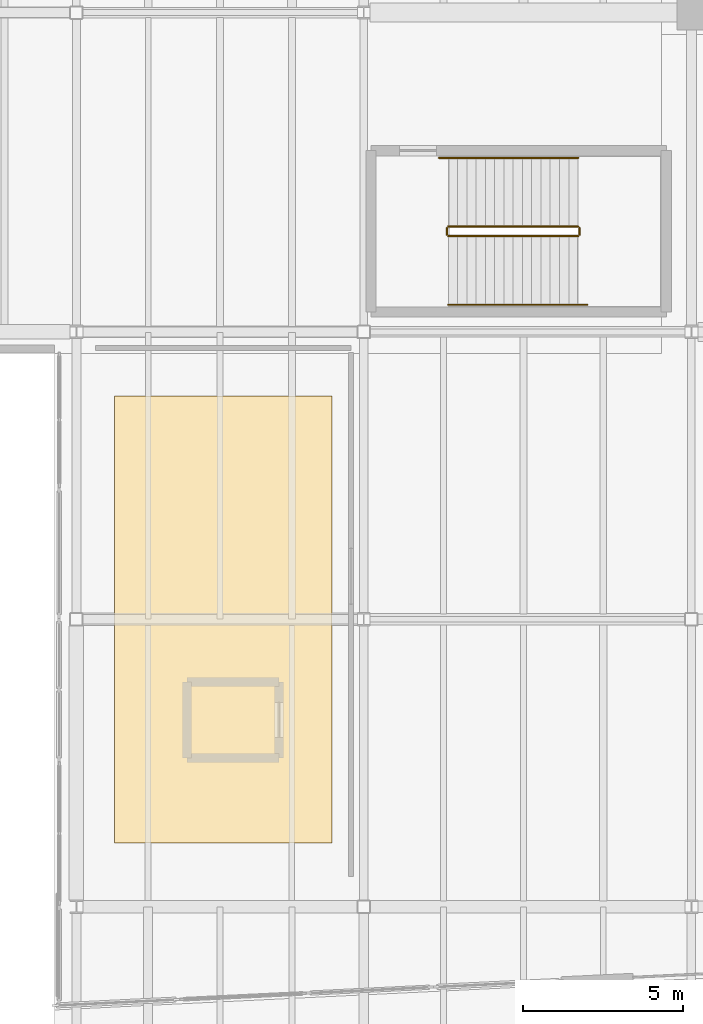
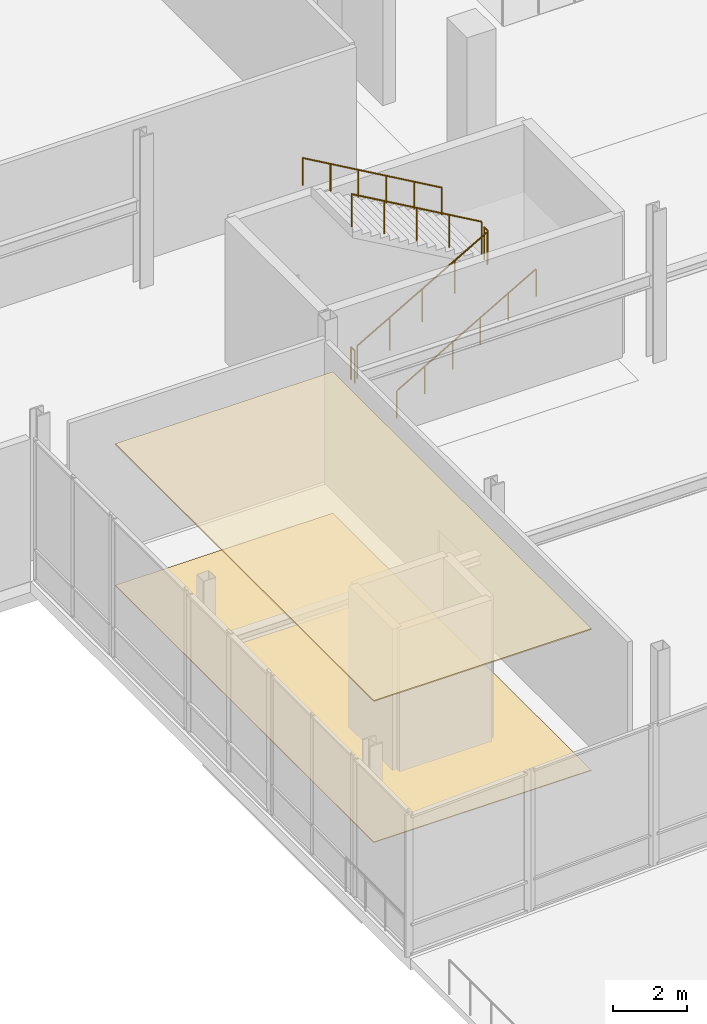
# One storey, part 79 of 88: 6 railings, 2 coverings.
"""IFC4 building model written with IfcOpenShell, lengths in metres."""

from ifc_helpers import new_model, si_unit, direction, frame, origin, origin_2d, place, context, subcontext, project, spatial, polyline, circle, outline, extrude, material, layer, layer_set, type_object, element, save


model = new_model("IFC4")

# Units and contexts
model_context = context("Model", 3, precision=1e-05, world=origin(), true_north=direction((0.0, 1.0)))
body_context = subcontext(model_context, "Body", "Model", "MODEL_VIEW")
ifc_project = project(units=[si_unit("LENGTHUNIT", "METRE"), si_unit("AREAUNIT", "SQUARE_METRE"), si_unit("VOLUMEUNIT", "CUBIC_METRE"), si_unit("PLANEANGLEUNIT", "RADIAN"), si_unit("MASSUNIT", "GRAM", prefix="KILO")], contexts=[model_context])

# Site, building, storey
site_placement = place(None, origin())
site = spatial("IfcSite", under=ifc_project, at=site_placement, CompositionType="ELEMENT")
building_placement = place(site_placement, origin())
building = spatial("IfcBuilding", under=site, at=building_placement, Name="Trimount Lyric Opera House", CompositionType="ELEMENT")
storey_placement = place(building_placement, origin())
storey = spatial("IfcBuildingStorey", under=building, at=storey_placement, Name="L00", CompositionType="ELEMENT", Elevation=0.0)

# Coverings
ifc_material_1 = material(Name="Micro-Perforated White Oak Acoustic Ceiling")
ifc_layer_1 = layer(ifc_material_1, 0.0400390625)
ifc_layer_set_1 = layer_set([ifc_layer_1], Name="CEIL-AC1")
covering_type_1 = type_object("IfcCoveringType", Name="CEIL-AC1", PredefinedType="CEILING", material=ifc_layer_set_1)
covering_1_placement = place(storey_placement, frame((0.0, 0.0, 4.659912109375)))
element("IfcCovering", 1, at=covering_1_placement, inside=storey, type_object=covering_type_1, Name="Box Office Concourse acoustic ceiling", PredefinedType="CEILING", context=body_context, shape_type="SweptSolid", body=[
    extrude(outline(polyline([(46.199951171875, 28.0), (53.0, 28.0), (53.0, 42.0), (46.199951171875, 42.0), (46.199951171875, 28.0)])), origin(), (0.0, 0.0, 1.0), 0.0400390625),
])
ifc_material_2 = material(Name="Honed Granite Terrazzo Concourse Flooring", Category="masonry")
ifc_layer_2 = layer(ifc_material_2, 0.02490234375)
ifc_layer_set_2 = layer_set([ifc_layer_2], Name="FLR-TRZ1")
covering_type_2 = type_object("IfcCoveringType", Name="FLR-TRZ1", PredefinedType="FLOORING", material=ifc_layer_set_2)
covering_2_placement = place(storey_placement, origin())
element("IfcCovering", 2, at=covering_2_placement, inside=storey, type_object=covering_type_2, Name="Box Office Concourse finish flooring", PredefinedType="FLOORING", context=body_context, shape_type="SweptSolid", body=[
    extrude(outline(polyline([(46.199951171875, 28.0), (53.0, 28.0), (53.0, 42.0), (46.199951171875, 42.0), (46.199951171875, 28.0)])), origin(), (0.0, 0.0, 1.0), 0.02490234375),
])

# Railings
ifc_material_3 = material(Name="Brushed Stainless Steel 316", Category="steel")
railing_type_1 = type_object("IfcRailingType", Name="RL-GRD110", PredefinedType="GUARDRAIL", material=ifc_material_3)
railing_1_placement = place(storey_placement, frame((56.64990234375, 47.0, 0.166748046875)))
element("IfcRailing", 3, at=railing_1_placement, inside=storey, type_object=railing_type_1, Name="L00 ST-07 stair guard 1", PredefinedType="GUARDRAIL", context=body_context, shape_type="SweptSolid", body=[
    extrude(circle(Radius=0.02392578125, at=origin_2d()), frame((0.0, 0.0, 1.076171875), z_axis=(0.867024558463, 0.0, 0.498265406207), x_axis=(0.0, 1.0, 0.0)), (0.0, 0.0, 1.0), 4.682861328125),
    extrude(circle(Radius=0.02099609375, at=origin_2d()), origin(), (0.0, 0.0, 1.0), 1.052001953125),
    extrude(circle(Radius=0.02099609375, at=origin_2d()), frame((1.01513671875, 0.0, 0.583251953125)), (0.0, 0.0, 1.0), 1.052001953125),
    extrude(circle(Radius=0.02099609375, at=origin_2d()), frame((2.030029296875, 0.0, 1.16650390625)), (0.0, 0.0, 1.0), 1.052001953125),
    extrude(circle(Radius=0.02099609375, at=origin_2d()), frame((3.044921875, 0.0, 1.75)), (0.0, 0.0, 1.0), 1.052001953125),
    extrude(circle(Radius=0.02099609375, at=origin_2d()), frame((4.06005859375, 0.0, 2.333251953125)), (0.0, 0.0, 1.0), 1.052001953125),
])
railing_2_placement = place(storey_placement, frame((60.760009765625, 47.050048828125, 2.5)))
element("IfcRailing", 4, at=railing_2_placement, inside=storey, type_object=railing_type_1, Name="L00 ST-07 stair guard 2", PredefinedType="GUARDRAIL", context=body_context, shape_type="SweptSolid", body=[
    extrude(circle(Radius=0.02392578125, at=origin_2d()), frame((0.0, 0.0, 1.076171875), z_axis=(0.0, 1.0, 0.0), x_axis=(-1.0, 0.0, 0.0)), (0.0, 0.0, 1.0), 0.199951171875),
    extrude(circle(Radius=0.02099609375, at=origin_2d()), origin(), (0.0, 0.0, 1.0), 1.052001953125),
    extrude(circle(Radius=0.02099609375, at=origin_2d()), frame((0.0, 0.199951171875, 0.0)), (0.0, 0.0, 1.0), 1.052001953125),
])
railing_3_placement = place(storey_placement, frame((60.7099609375, 47.300048828125, 2.666748046875)))
element("IfcRailing", 5, at=railing_3_placement, inside=storey, type_object=railing_type_1, Name="L00 ST-07 stair guard 3", PredefinedType="GUARDRAIL", context=body_context, shape_type="SweptSolid", body=[
    extrude(circle(Radius=0.02392578125, at=origin_2d()), frame((0.0, 0.0, 1.076171875), z_axis=(-0.867024558463, 0.0, 0.498265406207), x_axis=(0.0, -1.0, 0.0)), (0.0, 0.0, 1.0), 4.682861328125),
    extrude(circle(Radius=0.02099609375, at=origin_2d()), origin(), (0.0, 0.0, 1.0), 1.052001953125),
    extrude(circle(Radius=0.02099609375, at=origin_2d()), frame((-1.01513671875, 0.0, 0.583251953125)), (0.0, 0.0, 1.0), 1.052001953125),
    extrude(circle(Radius=0.02099609375, at=origin_2d()), frame((-2.030029296875, 0.0, 1.16650390625)), (0.0, 0.0, 1.0), 1.052001953125),
    extrude(circle(Radius=0.02099609375, at=origin_2d()), frame((-3.044921875, 0.0, 1.75)), (0.0, 0.0, 1.0), 1.052001953125),
    extrude(circle(Radius=0.02099609375, at=origin_2d()), frame((-4.06005859375, 0.0, 2.333251953125)), (0.0, 0.0, 1.0), 1.052001953125),
])
railing_4_placement = place(storey_placement, frame((56.60009765625, 47.050048828125, 0.0)))
element("IfcRailing", 6, at=railing_4_placement, inside=storey, type_object=railing_type_1, Name="L00 ST-07 stair guard 4", PredefinedType="GUARDRAIL", context=body_context, shape_type="SweptSolid", body=[
    extrude(circle(Radius=0.02392578125, at=origin_2d()), frame((0.0, 0.0, 1.076171875), z_axis=(0.0, 1.0, 0.0), x_axis=(-1.0, 0.0, 0.0)), (0.0, 0.0, 1.0), 0.199951171875),
    extrude(circle(Radius=0.02099609375, at=origin_2d()), origin(), (0.0, 0.0, 1.0), 1.052001953125),
    extrude(circle(Radius=0.02099609375, at=origin_2d()), frame((0.0, 0.199951171875, 0.0)), (0.0, 0.0, 1.0), 1.052001953125),
])
ifc_material_4 = material(Name="Brushed Stainless Steel 316", Category="steel")
railing_type_2 = type_object("IfcRailingType", Name="RL-HND092", PredefinedType="HANDRAIL", material=ifc_material_4)
railing_5_placement = place(storey_placement, frame((56.64990234375, 44.85009765625, 0.166748046875)))
element("IfcRailing", 7, at=railing_5_placement, inside=storey, type_object=railing_type_2, Name="L00 ST-07 stair handrail 1", PredefinedType="HANDRAIL", context=body_context, shape_type="SweptSolid", body=[
    extrude(circle(Radius=0.0224609375, at=origin_2d()), frame((0.0, 0.0, 0.8974609375), z_axis=(0.866766478692, 0.0, 0.498714218181), x_axis=(0.0, 1.0, 0.0)), (0.0, 0.0, 1.0), 5.018798828125),
    extrude(circle(Radius=0.02099609375, at=origin_2d()), origin(), (0.0, 0.0, 1.0), 0.875),
    extrude(circle(Radius=0.02099609375, at=origin_2d()), frame((0.8701171875, 0.0, 0.50048828125)), (0.0, 0.0, 1.0), 0.875),
    extrude(circle(Radius=0.02099609375, at=origin_2d()), frame((1.739990234375, 0.0, 1.001220703125)), (0.0, 0.0, 1.0), 0.875),
    extrude(circle(Radius=0.02099609375, at=origin_2d()), frame((2.610107421875, 0.0, 1.501708984375)), (0.0, 0.0, 1.0), 0.875),
    extrude(circle(Radius=0.02099609375, at=origin_2d()), frame((3.47998046875, 0.0, 2.00244140625)), (0.0, 0.0, 1.0), 0.875),
    extrude(circle(Radius=0.02099609375, at=origin_2d()), frame((4.35009765625, 0.0, 2.5029296875)), (0.0, 0.0, 1.0), 0.875),
])
railing_6_placement = place(storey_placement, frame((60.7099609375, 49.449951171875, 2.666748046875)))
element("IfcRailing", 8, at=railing_6_placement, inside=storey, type_object=railing_type_2, Name="L00 ST-07 stair handrail 2", PredefinedType="HANDRAIL", context=body_context, shape_type="SweptSolid", body=[
    extrude(circle(Radius=0.0224609375, at=origin_2d()), frame((0.0, 0.0, 0.8974609375), z_axis=(-0.866754379005, 0.0, 0.498735246875), x_axis=(0.0, -1.0, 0.0)), (0.0, 0.0, 1.0), 5.0185546875),
    extrude(circle(Radius=0.02099609375, at=origin_2d()), origin(), (0.0, 0.0, 1.0), 0.875),
    extrude(circle(Radius=0.02099609375, at=origin_2d()), frame((-0.869873046875, 0.0, 0.50048828125)), (0.0, 0.0, 1.0), 0.875),
    extrude(circle(Radius=0.02099609375, at=origin_2d()), frame((-1.739990234375, 0.0, 1.001220703125)), (0.0, 0.0, 1.0), 0.875),
    extrude(circle(Radius=0.02099609375, at=origin_2d()), frame((-2.60986328125, 0.0, 1.501708984375)), (0.0, 0.0, 1.0), 0.875),
    extrude(circle(Radius=0.02099609375, at=origin_2d()), frame((-3.47998046875, 0.0, 2.00244140625)), (0.0, 0.0, 1.0), 0.875),
    extrude(circle(Radius=0.02099609375, at=origin_2d()), frame((-4.349853515625, 0.0, 2.5029296875)), (0.0, 0.0, 1.0), 0.875),
])

save(model, "model.ifc")
